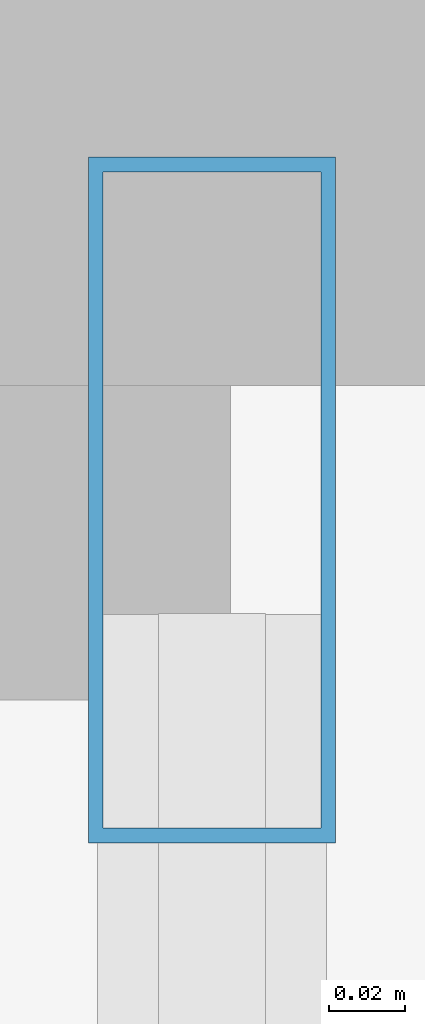
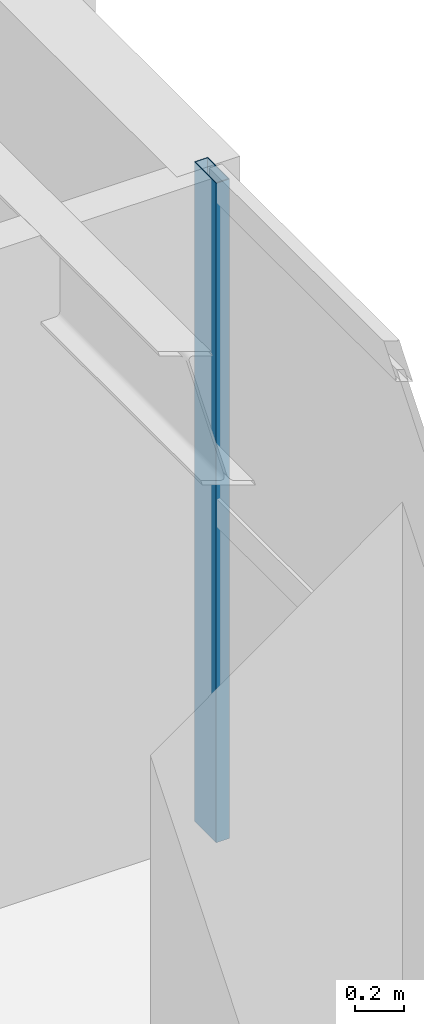
# One storey, part 13 of 23: 1 member, 1 element without a shape of its own.
"""IFC4 building model written with IfcOpenShell, lengths in metres."""

from ifc_helpers import new_model, si_unit, direction, frame, origin, origin_2d, place, context, subcontext, project, spatial, hollow_rectangle, extrude, source, transform, mapped, material, layer, layer_set, material_profile, profile_set, type_object, element, aggregate, save


model = new_model("IFC4")

# Units and contexts
model_context = context("Model", 3, precision=1e-05, world=origin(), true_north=direction((0.0, 1.0)))
body_context = subcontext(model_context, "Body", "Model", "MODEL_VIEW")
ifc_project = project(units=[si_unit("LENGTHUNIT", "METRE"), si_unit("AREAUNIT", "SQUARE_METRE"), si_unit("VOLUMEUNIT", "CUBIC_METRE"), si_unit("PLANEANGLEUNIT", "RADIAN"), si_unit("MASSUNIT", "GRAM", prefix="KILO")], contexts=[model_context])

# Site, building, storey
site_placement = place(None, origin())
site = spatial("IfcSite", under=ifc_project, at=site_placement, CompositionType="ELEMENT")
building_placement = place(site_placement, origin())
building = spatial("IfcBuilding", under=site, at=building_placement, Name="Khoralis Quay Care Tower", CompositionType="ELEMENT")
storey_placement = place(building_placement, frame((0.0, 0.0, 36.89990234375)))
storey = spatial("IfcBuildingStorey", under=building, at=storey_placement, Name="L09", CompositionType="ELEMENT", Elevation=36.89990234375)

# Curtain wall, member
ifc_material = material(Name="Pale anodised aluminium", Category="aluminium")
ifc_layer = layer(ifc_material, 0.179931640625)
ifc_layer_set = layer_set([ifc_layer], Name="Pale anodised aluminium")
curtain_wall_type = type_object("IfcCurtainWallType", Name="CW-SYS-Z1", PredefinedType="NOTDEFINED", material=ifc_layer_set)
curtain_wall_placement = place(storey_placement, origin())
curtain_wall = element("IfcCurtainWall", 1, at=curtain_wall_placement, inside=storey, type_object=curtain_wall_type, Name="L09 Unitised Curtain Wall CW-L09-P1-E5", PredefinedType="NOTDEFINED")
ifc_material_profile = material_profile(ifc_material, hollow_rectangle(XDim=0.06494140625, YDim=0.179931640625, WallThickness=0.00390625, at=origin_2d()), Name="Pale anodised aluminium")
ifc_profile_set = profile_set([ifc_material_profile], Name="Pale anodised aluminium")
member_type = type_object("IfcMemberType", Name="CW-MUL-180", PredefinedType="MULLION", material=ifc_profile_set)
shared_shape = source(origin(), body_context, "Body", "SweptSolid", [
    extrude(hollow_rectangle(XDim=0.06494140625, YDim=0.179931640625, WallThickness=0.00390625, at=origin_2d()), origin(), (0.0, 0.0, 1.0), 3.320068359375),
])
member_placement = place(storey_placement, frame((47.85009765625, 32.429931640625, 0.0), z_axis=(0.0, 0.0, 1.0), x_axis=(-1.0, 0.0, 0.0)))
member = element("IfcMember", 2, at=member_placement, type_object=member_type, Name="CW1 mullion 6", PredefinedType="MULLION", context=body_context, shape_type="MappedRepresentation", body=[
    mapped(shared_shape, transform((0.0, 0.0, 0.0), scale=1.0)),
])
aggregate(curtain_wall, [member])

save(model, "model.ifc")
